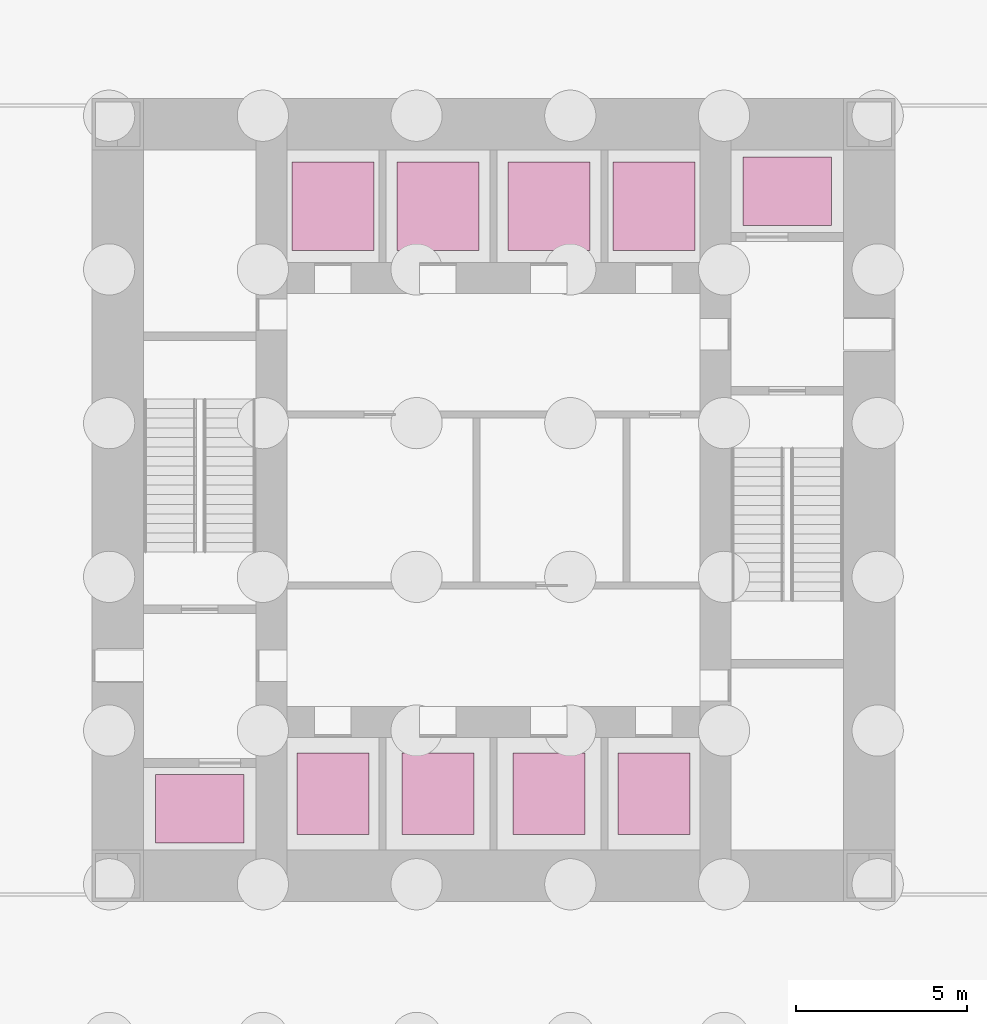
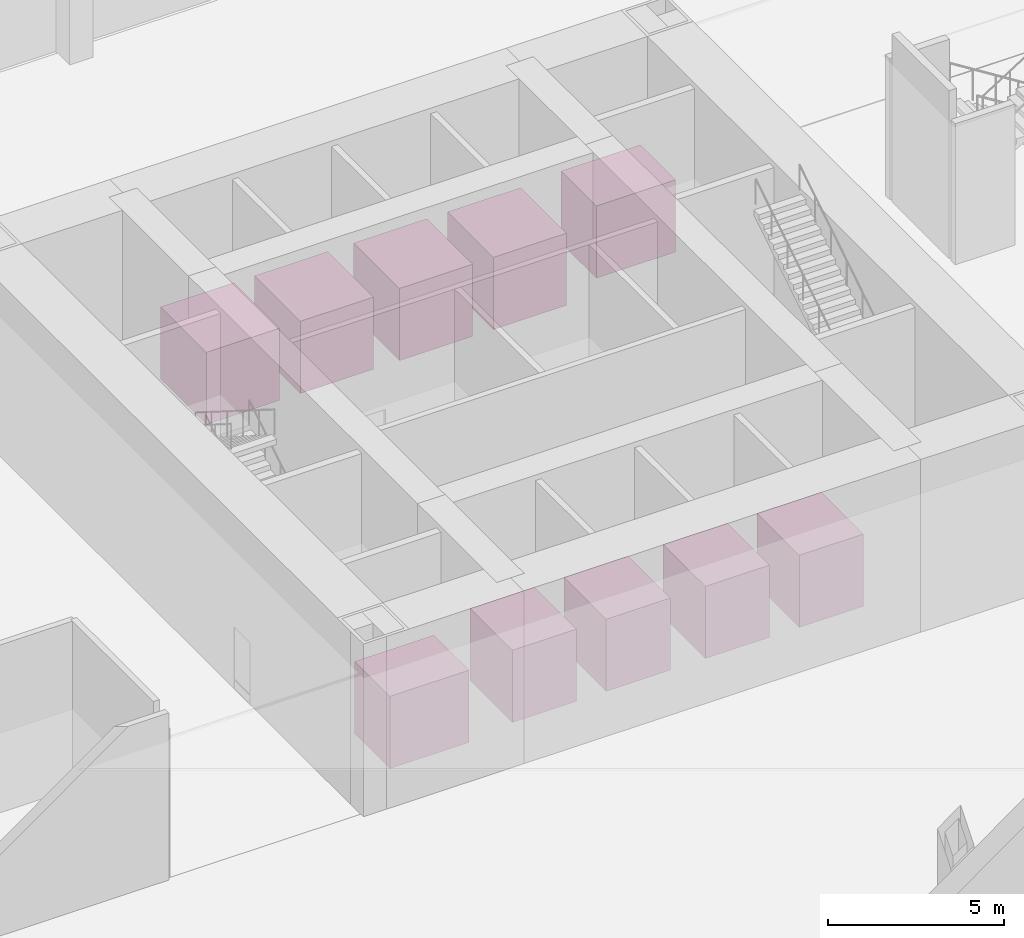
# One storey, part 16 of 16: 10 transport elements.
"""IFC4 building model written with IfcOpenShell, lengths in metres."""

from ifc_helpers import new_model, si_unit, direction, frame, origin, origin_2d, place, context, subcontext, project, spatial, rectangle, extrude, material, type_object, element, save


model = new_model("IFC4")

# Units and contexts
model_context = context("Model", 3, precision=1e-05, world=origin(), true_north=direction((0.0, 1.0)))
body_context = subcontext(model_context, "Body", "Model", "MODEL_VIEW")
ifc_project = project(units=[si_unit("LENGTHUNIT", "METRE"), si_unit("AREAUNIT", "SQUARE_METRE"), si_unit("VOLUMEUNIT", "CUBIC_METRE"), si_unit("PLANEANGLEUNIT", "RADIAN"), si_unit("MASSUNIT", "GRAM", prefix="KILO")], contexts=[model_context])

# Site, building, storey
site_placement = place(None, origin())
site = spatial("IfcSite", under=ifc_project, at=site_placement, CompositionType="ELEMENT")
building_placement = place(site_placement, origin())
building = spatial("IfcBuilding", under=site, at=building_placement, Name="Trevanion Tower", CompositionType="ELEMENT")
storey_placement = place(building_placement, origin())
storey = spatial("IfcBuildingStorey", under=building, at=storey_placement, Name="L00", CompositionType="ELEMENT", Elevation=0.0)

# Transport elements
ifc_material_1 = material(Name="Steel car, stainless steel finish", Category="steel")
transport_element_type_1 = type_object("IfcTransportElementType", Name="LF-A low-rise lift", PredefinedType="ELEVATOR", material=ifc_material_1)
for number, where, z_axis, x_axis, name in (
    (1, (-4.699951171875, -8.60009765625, 0.0), (0.0, 0.0, 1.0), (1.0, 0.0, 0.0), "A1 low-rise lift"),
    (2, (-1.625, -8.60009765625, 0.0), (0.0, 0.0, 1.0), (1.0, 0.0, 0.0), "A2 low-rise lift"),
    (3, (1.625, -8.60009765625, 0.0), (0.0, 0.0, 1.0), (1.0, 0.0, 0.0), "A3 low-rise lift"),
    (4, (4.699951171875, -8.60009765625, 0.0), (0.0, 0.0, 1.0), (1.0, 0.0, 0.0), "A4 low-rise lift"),
):
    element("IfcTransportElement", number, at=place(storey_placement, frame(where, z_axis=z_axis, x_axis=x_axis)), inside=storey, type_object=transport_element_type_1, Name=name, PredefinedType="ELEVATOR", context=body_context, shape_type="SweptSolid", body=[
        extrude(rectangle(XDim=2.10009765625, YDim=2.39990234375, at=origin_2d()), origin(), (0.0, 0.0, 1.0), 2.5),
    ])
ifc_material_2 = material(Name="Steel car, stainless steel finish", Category="steel")
transport_element_type_2 = type_object("IfcTransportElementType", Name="LF-FL fire service access lift", PredefinedType="ELEVATOR", material=ifc_material_2)
for number, where, z_axis, x_axis, name in (
    (5, (8.60009765625, 9.03759765625, 0.0), (0.0, 0.0, 1.0), (1.0, 0.0, 0.0), "FL1 fire service access lift"),
    (6, (-8.60009765625, -9.03759765625, 0.0), (0.0, 0.0, 1.0), (1.0, 0.0, 0.0), "FL2 fire service access lift"),
):
    element("IfcTransportElement", number, at=place(storey_placement, frame(where, z_axis=z_axis, x_axis=x_axis)), inside=storey, type_object=transport_element_type_2, Name=name, PredefinedType="ELEVATOR", context=body_context, shape_type="SweptSolid", body=[
        extrude(rectangle(XDim=2.60009765625, YDim=2.0, at=origin_2d()), origin(), (0.0, 0.0, 1.0), 2.5),
    ])
ifc_material_3 = material(Name="Steel car, stainless steel finish", Category="steel")
transport_element_type_3 = type_object("IfcTransportElementType", Name="LF-SH shuttle lift", PredefinedType="ELEVATOR", material=ifc_material_3)
for number, where, z_axis, x_axis, name in (
    (7, (-4.699951171875, 8.60009765625, 0.0), (0.0, 0.0, 1.0), (1.0, 0.0, 0.0), "SH1 shuttle lift"),
    (8, (-1.625, 8.60009765625, 0.0), (0.0, 0.0, 1.0), (1.0, 0.0, 0.0), "SH2 shuttle lift"),
    (9, (1.625, 8.60009765625, 0.0), (0.0, 0.0, 1.0), (1.0, 0.0, 0.0), "SH3 shuttle lift"),
    (10, (4.699951171875, 8.60009765625, 0.0), (0.0, 0.0, 1.0), (1.0, 0.0, 0.0), "SH4 shuttle lift"),
):
    element("IfcTransportElement", number, at=place(storey_placement, frame(where, z_axis=z_axis, x_axis=x_axis)), inside=storey, type_object=transport_element_type_3, Name=name, PredefinedType="ELEVATOR", context=body_context, shape_type="SweptSolid", body=[
        extrude(rectangle(XDim=2.39990234375, YDim=2.60009765625, at=origin_2d()), origin(), (0.0, 0.0, 1.0), 2.5),
    ])

save(model, "model.ifc")
